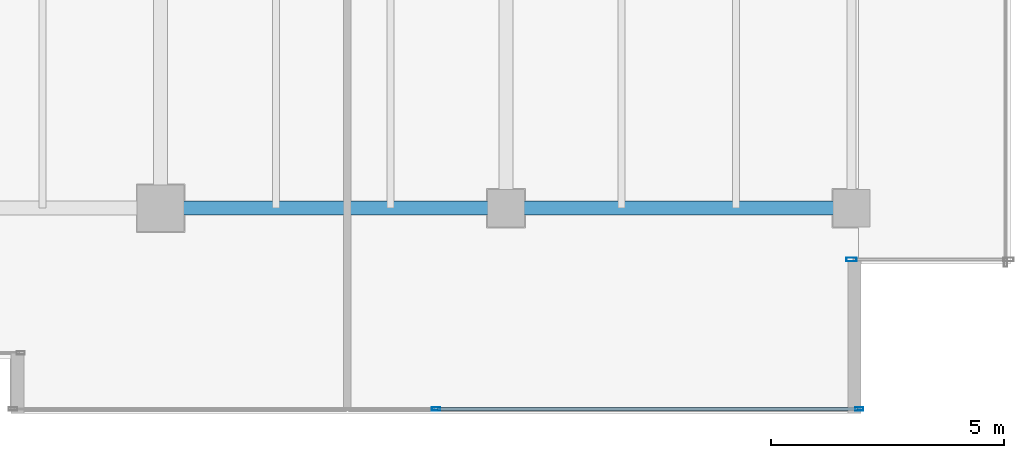
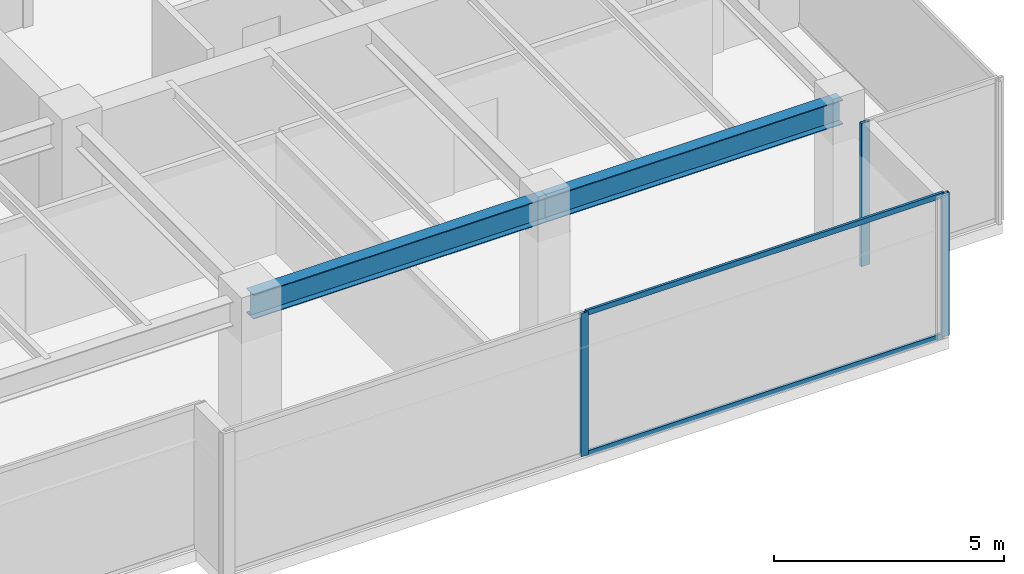
# One storey, part 13 of 35: 5 members, 2 beams, 2 elements without a shape of their own.
"""IFC4 building model written with IfcOpenShell, lengths in metres."""

from ifc_helpers import new_model, si_unit, direction, frame, origin, origin_2d, place, context, subcontext, project, spatial, hollow_rectangle, i_section, extrude, source, transform, mapped, material, layer, layer_set, material_profile, profile_set, type_object, type_shapes, element, aggregate, save


model = new_model("IFC4")

# Units and contexts
model_context = context("Model", 3, precision=1e-05, world=origin(), true_north=direction((0.0, 1.0)))
body_context = subcontext(model_context, "Body", "Model", "MODEL_VIEW")
ifc_project = project(units=[si_unit("LENGTHUNIT", "METRE"), si_unit("AREAUNIT", "SQUARE_METRE"), si_unit("VOLUMEUNIT", "CUBIC_METRE"), si_unit("PLANEANGLEUNIT", "RADIAN"), si_unit("MASSUNIT", "GRAM", prefix="KILO")], contexts=[model_context])

# Site, building, storey
site_placement = place(None, origin())
site = spatial("IfcSite", under=ifc_project, at=site_placement, CompositionType="ELEMENT")
building_placement = place(site_placement, origin())
building = spatial("IfcBuilding", under=site, at=building_placement, Name="Haelvirn Gate Laboratories", CompositionType="ELEMENT")
storey_placement = place(building_placement, frame((0.0, 0.0, 221.89990234375)))
storey = spatial("IfcBuildingStorey", under=building, at=storey_placement, Name="L53", CompositionType="ELEMENT", Elevation=221.89990234375)

# Beams
ifc_material_1 = material(Name="Steel SM355", Category="steel")
ifc_material_profile_1 = material_profile(ifc_material_1, i_section(OverallWidth=0.300048828125, OverallDepth=0.64990234375, WebThickness=0.012939453125, FlangeThickness=0.02197265625, at=origin_2d()), Name="H-650x300x13x22")
ifc_profile_set_1 = profile_set([ifc_material_profile_1], Name="Steel SM355")
beam_type = type_object("IfcBeamType", Name="BM-G-650", PredefinedType="BEAM", material=ifc_profile_set_1)
shared_shape_1 = source(origin(), body_context, "Body", "SweptSolid", [
    extrude(i_section(OverallWidth=0.300048828125, OverallDepth=0.64990234375, WebThickness=0.012939453125, FlangeThickness=0.02197265625, at=origin_2d()), origin(), (0.0, 0.0, 1.0), 7.39990234375),
])
type_shapes(beam_type, [shared_shape_1])
for number, where, z_axis, x_axis, name in (
    (1, (52.60009765625, 7.0, 3.47509765625), (1.0, 0.0, 0.0), (0.0, 1.0, 0.0), "L53 Primary Girder Y7.0 (52.6-60.0)"),
    (2, (60.0, 7.0, 3.47509765625), (1.0, 0.0, 0.0), (0.0, 1.0, 0.0), "L53 Primary Girder Y7.0 (60.0-67.4)"),
):
    element("IfcBeam", number, at=place(storey_placement, frame(where, z_axis=z_axis, x_axis=x_axis)), inside=storey, type_object=beam_type, Name=name, PredefinedType="BEAM", context=body_context, shape_type="MappedRepresentation", body=[
        mapped(shared_shape_1, transform((0.0, 0.0, 0.0), scale=1.0)),
    ])

# Curtain wall, members
ifc_material_2 = material(Name="Anodised bronze unitised aluminium & triple low-E glass", Category="aluminium")
ifc_layer_1 = layer(ifc_material_2, 0.176025390625, Name="CW-SYS-4")
ifc_layer_set_1 = layer_set([ifc_layer_1], Name="Anodised bronze unitised aluminium & triple low-E glass")
curtain_wall_type_1 = type_object("IfcCurtainWallType", Name="CW-SYS-4", PredefinedType="NOTDEFINED", material=ifc_layer_set_1)
curtain_wall_1_placement = place(storey_placement, origin())
curtain_wall_1 = element("IfcCurtainWall", 3, at=curtain_wall_1_placement, inside=storey, type_object=curtain_wall_type_1, Name="L53 Unitised Curtain Wall CW-L53-P0-E04-1", PredefinedType="NOTDEFINED")
ifc_material_3 = material(Name="Extruded aluminium 6063-T6 (anodised bronze)", Category="aluminium")
ifc_material_profile_2 = material_profile(ifc_material_3, hollow_rectangle(XDim=0.06494140625, YDim=0.139892578125, WallThickness=0.00390625, at=origin_2d()), Name="CWT-140x65x4")
ifc_profile_set_2 = profile_set([ifc_material_profile_2], Name="Extruded aluminium 6063-T6 (anodised bronze)")
member_type_1 = type_object("IfcMemberType", Name="CWT-T140", PredefinedType="USERDEFINED", material=ifc_profile_set_2)
shared_shape_2 = source(origin(), body_context, "Body", "SweptSolid", [
    extrude(hollow_rectangle(XDim=0.06494140625, YDim=0.139892578125, WallThickness=0.00390625, at=origin_2d()), origin(), (0.0, 0.0, 1.0), 8.9951171875),
])
type_shapes(member_type_1, [shared_shape_2])
member_1_placement = place(storey_placement, frame((58.534912109375, 2.699951171875, 0.03271484375), z_axis=(1.0, 0.0, 0.0), x_axis=(0.0, 1.0, 0.0)))
member_1 = element("IfcMember", 4, at=member_1_placement, type_object=member_type_1, Name="CW4 transom 2.1", ObjectType="TRANSOM", PredefinedType="USERDEFINED", context=body_context, shape_type="MappedRepresentation", body=[
    mapped(shared_shape_2, transform((0.0, 0.0, 0.0), scale=1.0)),
])
member_2_placement = place(storey_placement, frame((58.534912109375, 2.699951171875, 3.767578125), z_axis=(1.0, 0.0, 0.0), x_axis=(0.0, 1.0, 0.0)))
member_2 = element("IfcMember", 5, at=member_2_placement, type_object=member_type_1, Name="CW4 transom 2.2", ObjectType="TRANSOM", PredefinedType="USERDEFINED", context=body_context, shape_type="MappedRepresentation", body=[
    mapped(shared_shape_2, transform((0.0, 0.0, 0.0), scale=1.0)),
])
ifc_material_profile_3 = material_profile(ifc_material_3, hollow_rectangle(XDim=0.070068359375, YDim=0.179931640625, WallThickness=0.0048828125, at=origin_2d()), Name="CWM-180x70x5")
ifc_profile_set_3 = profile_set([ifc_material_profile_3], Name="Extruded aluminium 6063-T6 (anodised bronze)")
member_type_2 = type_object("IfcMemberType", Name="CWM-T180", PredefinedType="MULLION", material=ifc_profile_set_3)
shared_shape_3 = source(origin(), body_context, "Body", "SweptSolid", [
    extrude(hollow_rectangle(XDim=0.070068359375, YDim=0.179931640625, WallThickness=0.0048828125, at=origin_2d()), origin(), (0.0, 0.0, 1.0), 3.800048828125),
])
type_shapes(member_type_2, [shared_shape_3])
member_3_placement = place(storey_placement, frame((58.5, 2.699951171875, 0.0), z_axis=(0.0, 0.0, 1.0), x_axis=(0.0, 1.0, 0.0)))
member_3 = element("IfcMember", 6, at=member_3_placement, type_object=member_type_2, Name="CW4 mullion 2", PredefinedType="MULLION", context=body_context, shape_type="MappedRepresentation", body=[
    mapped(shared_shape_3, transform((0.0, 0.0, 0.0), scale=1.0)),
])
member_4_placement = place(storey_placement, frame((67.56494140625, 2.699951171875, 0.0), z_axis=(0.0, 0.0, 1.0), x_axis=(0.0, 1.0, 0.0)))
member_4 = element("IfcMember", 7, at=member_4_placement, type_object=member_type_2, Name="CW4 mullion 3", PredefinedType="MULLION", context=body_context, shape_type="MappedRepresentation", body=[
    mapped(shared_shape_3, transform((0.0, 0.0, 0.0), scale=1.0)),
])
aggregate(curtain_wall_1, [member_3, member_4, member_1, member_2])

# Curtain wall, member
ifc_layer_2 = layer(ifc_material_2, 0.181884765625, Name="CW-SYS-5")
ifc_layer_set_2 = layer_set([ifc_layer_2], Name="Anodised bronze unitised aluminium & triple low-E glass")
curtain_wall_type_2 = type_object("IfcCurtainWallType", Name="CW-SYS-5", PredefinedType="NOTDEFINED", material=ifc_layer_set_2)
curtain_wall_2_placement = place(storey_placement, origin())
curtain_wall_2 = element("IfcCurtainWall", 8, at=curtain_wall_2_placement, inside=storey, type_object=curtain_wall_type_2, Name="L53 Unitised Curtain Wall CW-L53-P0-E06-1", PredefinedType="NOTDEFINED")
ifc_material_profile_4 = material_profile(ifc_material_3, hollow_rectangle(XDim=0.080078125, YDim=0.219970703125, WallThickness=0.006103515625, at=origin_2d()), Name="CWM-220x80x6")
ifc_profile_set_4 = profile_set([ifc_material_profile_4], Name="Extruded aluminium 6063-T6 (anodised bronze)")
member_type_3 = type_object("IfcMemberType", Name="CWM-T220", PredefinedType="MULLION", material=ifc_profile_set_4)
shared_shape_4 = source(origin(), body_context, "Body", "SweptSolid", [
    extrude(hollow_rectangle(XDim=0.080078125, YDim=0.219970703125, WallThickness=0.006103515625, at=origin_2d()), origin(), (0.0, 0.0, 1.0), 3.800048828125),
])
type_shapes(member_type_3, [shared_shape_4])
member_5_placement = place(storey_placement, frame((67.39990234375, 5.89990234375, 0.0), z_axis=(0.0, 0.0, 1.0), x_axis=(0.0, 1.0, 0.0)))
member_5 = element("IfcMember", 9, at=member_5_placement, type_object=member_type_3, Name="CW5 mullion 1", PredefinedType="MULLION", context=body_context, shape_type="MappedRepresentation", body=[
    mapped(shared_shape_4, transform((0.0, 0.0, 0.0), scale=1.0)),
])
aggregate(curtain_wall_2, [member_5])

save(model, "model.ifc")
